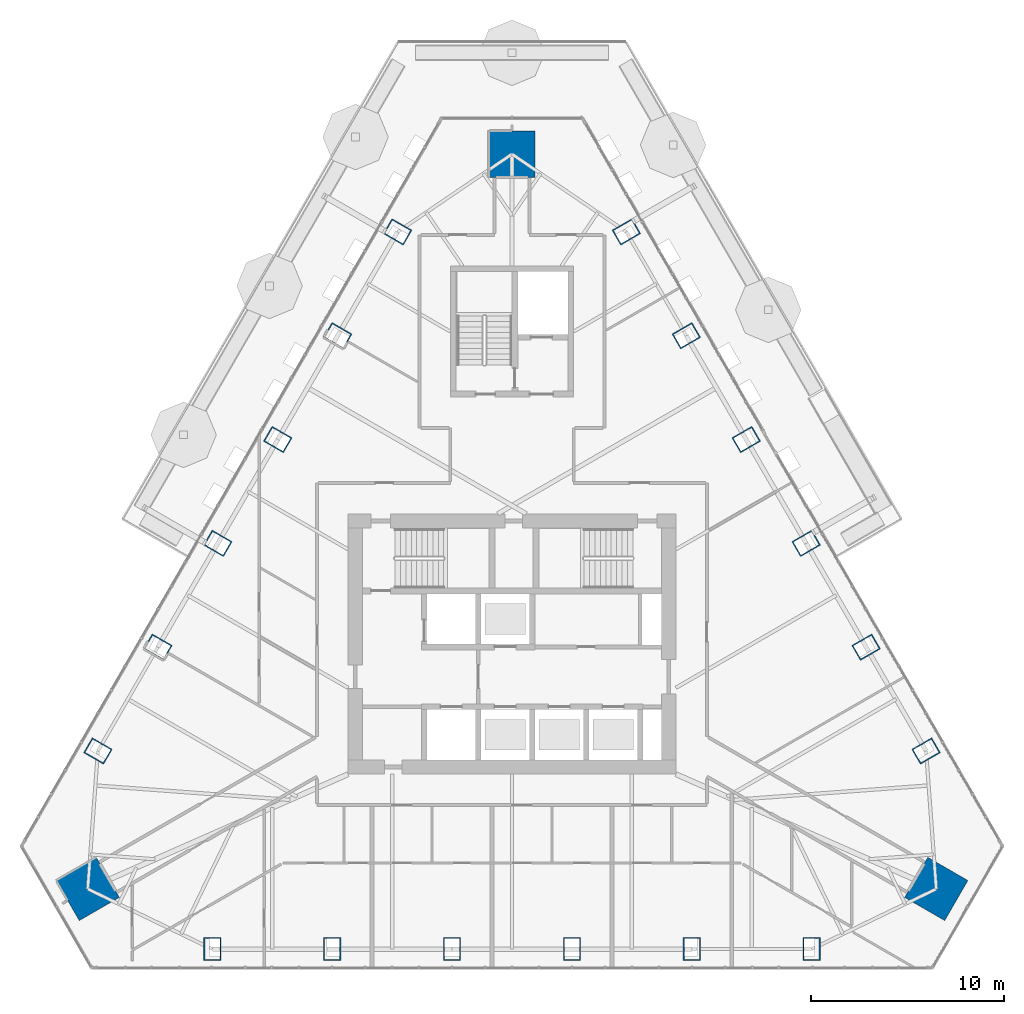
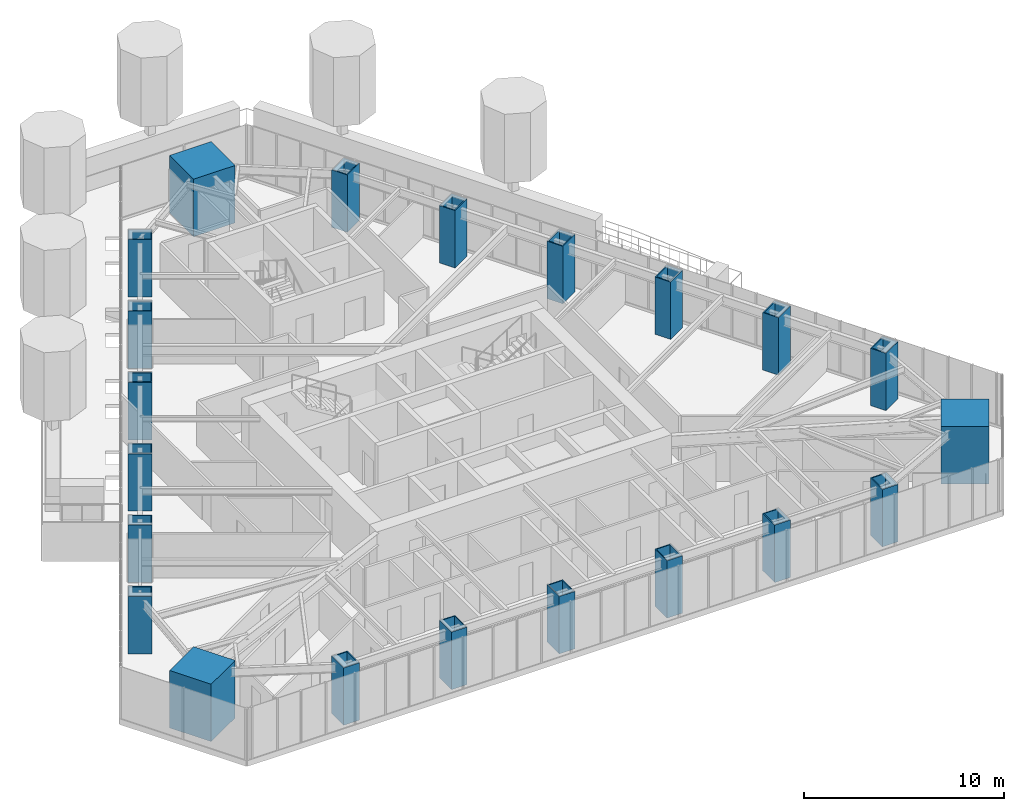
# One storey, part 1 of 22: 21 columns.
"""IFC4 building model written with IfcOpenShell, lengths in metres."""

from ifc_helpers import new_model, si_unit, direction, frame, origin, origin_2d, place, context, subcontext, project, spatial, rectangle, hollow_rectangle, extrude, material, material_profile, profile_set, type_object, element, save


model = new_model("IFC4")

# Units and contexts
model_context = context("Model", 3, precision=1e-05, world=origin(), true_north=direction((0.0, 1.0)))
body_context = subcontext(model_context, "Body", "Model", "MODEL_VIEW")
ifc_project = project(units=[si_unit("LENGTHUNIT", "METRE"), si_unit("AREAUNIT", "SQUARE_METRE"), si_unit("VOLUMEUNIT", "CUBIC_METRE"), si_unit("PLANEANGLEUNIT", "RADIAN"), si_unit("MASSUNIT", "GRAM", prefix="KILO")], contexts=[model_context])

# Site, building, storey
site_placement = place(None, origin())
site = spatial("IfcSite", under=ifc_project, at=site_placement, CompositionType="ELEMENT")
building_placement = place(site_placement, origin())
building = spatial("IfcBuilding", under=site, at=building_placement, Name="Firuza Gate Tower and Library", CompositionType="ELEMENT")
storey_placement = place(building_placement, frame((0.0, 0.0, 295.10009765625)))
storey = spatial("IfcBuildingStorey", under=building, at=storey_placement, Name="L71", CompositionType="ELEMENT", Elevation=295.10009765625)

# Columns
ifc_material_1 = material(Name="Steel S355", Category="steel")
ifc_material_profile_1 = material_profile(ifc_material_1, hollow_rectangle(XDim=0.89990234375, YDim=1.199951171875, WallThickness=0.06005859375, at=origin_2d()))
ifc_profile_set_1 = profile_set([ifc_material_profile_1], Name="Steel S355")
column_type_1 = type_object("IfcColumnType", Name="BU1200x900x60 Composite box column", PredefinedType="COLUMN", material=ifc_profile_set_1)
for number, where, z_axis, x_axis, name in (
    (1, (59.466552734375, 59.187744140625, -0.00048828125), (0.0, 0.0, 1.0), (1.0, 0.0, 0.0), "Column S1 L71"),
    (2, (65.679931640625, 59.187744140625, -0.00048828125), (0.0, 0.0, 1.0), (1.0, 0.0, 0.0), "Column S2 L71"),
    (3, (71.893310546875, 59.187744140625, -0.00048828125), (0.0, 0.0, 1.0), (1.0, 0.0, 0.0), "Column S3 L71"),
    (4, (78.106689453125, 59.187744140625, -0.00048828125), (0.0, 0.0, 1.0), (1.0, 0.0, 0.0), "Column S4 L71"),
    (5, (84.320068359375, 59.187744140625, -0.00048828125), (0.0, 0.0, 1.0), (1.0, 0.0, 0.0), "Column S5 L71"),
    (6, (90.533447265625, 59.187744140625, -0.00048828125), (0.0, 0.0, 1.0), (1.0, 0.0, 0.0), "Column S6 L71"),
    (7, (96.460693359375, 69.453857421875, -0.00048828125), (0.0, 0.0, 1.0), (-0.5, 0.866025403784, 0.0), "Column E1 L71"),
    (8, (93.35400390625, 74.834716796875, -0.00048828125), (0.0, 0.0, 1.0), (-0.5, 0.866025403784, 0.0), "Column E2 L71"),
    (9, (90.247314453125, 80.2158203125, -0.00048828125), (0.0, 0.0, 1.0), (-0.5, 0.866025403784, 0.0), "Column E3 L71"),
    (10, (87.140625, 85.5966796875, -0.00048828125), (0.0, 0.0, 1.0), (-0.5, 0.866025403784, 0.0), "Column E4 L71"),
    (11, (84.033935546875, 90.9775390625, -0.00048828125), (0.0, 0.0, 1.0), (-0.5, 0.866025403784, 0.0), "Column E5 L71"),
    (12, (80.92724609375, 96.3583984375, -0.00048828125), (0.0, 0.0, 1.0), (-0.5, 0.866025403784, 0.0), "Column E6 L71"),
    (13, (69.07275390625, 96.3583984375, -0.00048828125), (0.0, 0.0, 1.0), (-0.5, -0.866025403784, 0.0), "Column W1 L71"),
    (14, (65.966064453125, 90.9775390625, -0.00048828125), (0.0, 0.0, 1.0), (-0.5, -0.866025403784, 0.0), "Column W2 L71"),
    (15, (62.859375, 85.5966796875, -0.00048828125), (0.0, 0.0, 1.0), (-0.5, -0.866025403784, 0.0), "Column W3 L71"),
    (16, (59.752685546875, 80.2158203125, -0.00048828125), (0.0, 0.0, 1.0), (-0.5, -0.866025403784, 0.0), "Column W4 L71"),
    (17, (56.64599609375, 74.834716796875, -0.00048828125), (0.0, 0.0, 1.0), (-0.5, -0.866025403784, 0.0), "Column W5 L71"),
    (18, (53.539306640625, 69.453857421875, -0.00048828125), (0.0, 0.0, 1.0), (-0.5, -0.866025403784, 0.0), "Column W6 L71"),
):
    element("IfcColumn", number, at=place(storey_placement, frame(where, z_axis=z_axis, x_axis=x_axis)), inside=storey, type_object=column_type_1, Name=name, PredefinedType="COLUMN", context=body_context, shape_type="SweptSolid", body=[
        extrude(hollow_rectangle(XDim=0.89990234375, YDim=1.199951171875, WallThickness=0.06005859375, at=origin_2d()), origin(), (0.0, 0.0, 1.0), 3.50048828125),
    ])
ifc_material_2 = material(Name="Concrete C80/95", Category="concrete")
ifc_material_profile_2 = material_profile(ifc_material_2, rectangle(XDim=2.39990234375, YDim=2.39990234375, at=origin_2d()))
ifc_profile_set_2 = profile_set([ifc_material_profile_2], Name="Concrete C80/95")
column_type_2 = type_object("IfcColumnType", Name="Mega column 2400x2400 C80/95", PredefinedType="COLUMN", material=ifc_profile_set_2)
for number, where, z_axis, x_axis, name in (
    (19, (96.98779296875, 62.305419921875, 0.0), (0.0, 0.0, 1.0), (0.5, 0.866025403784, 0.0), "Mega column SE L71"),
    (20, (75.0, 100.389404296875, 0.0), (0.0, 0.0, 1.0), (-1.0, 0.0, 0.0), "Mega column N L71"),
    (21, (53.01220703125, 62.305419921875, 0.0), (0.0, 0.0, 1.0), (0.5, -0.866025403784, 0.0), "Mega column SW L71"),
):
    element("IfcColumn", number, at=place(storey_placement, frame(where, z_axis=z_axis, x_axis=x_axis)), inside=storey, type_object=column_type_2, Name=name, PredefinedType="COLUMN", context=body_context, shape_type="SweptSolid", body=[
        extrude(rectangle(XDim=2.39990234375, YDim=2.39990234375, at=origin_2d()), origin(), (0.0, 0.0, 1.0), 3.5),
    ])

save(model, "model.ifc")
